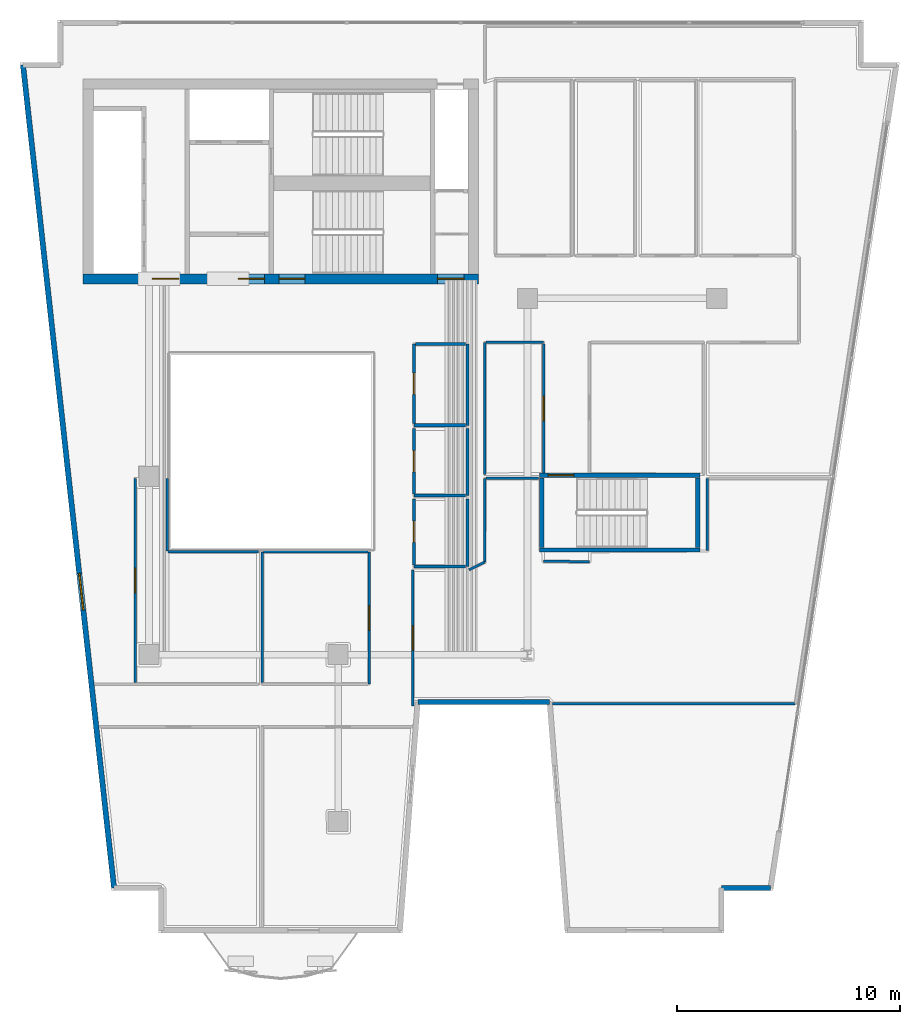
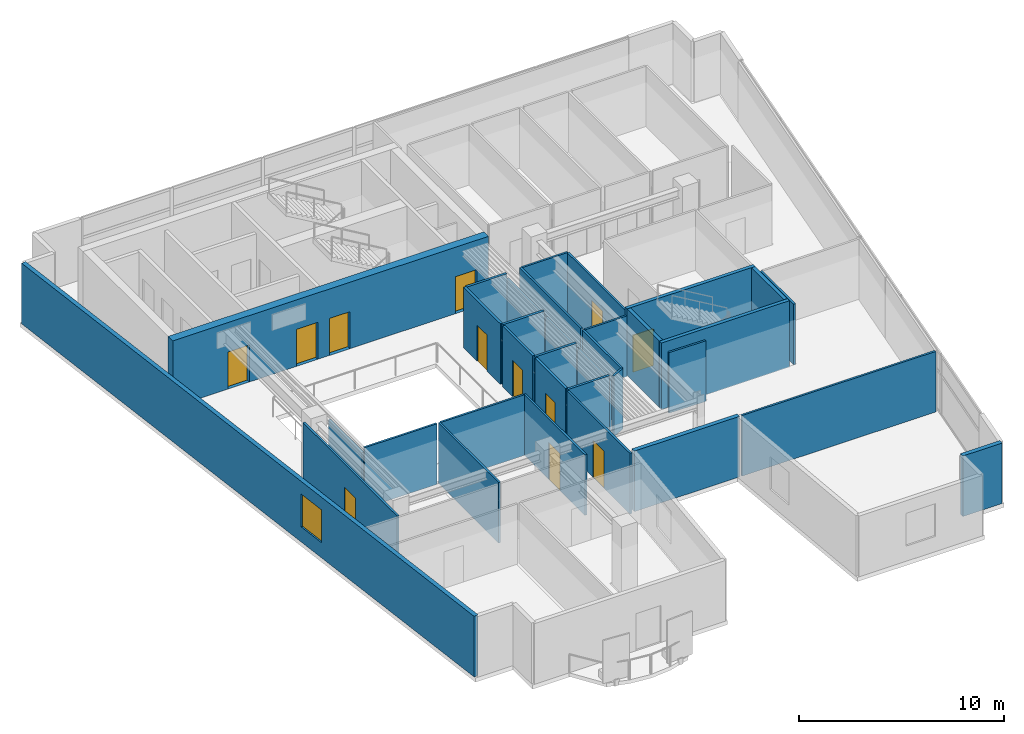
# One storey, part 4 of 8: 34 walls, 12 doors, 1 window, 13 openings.
"""IFC4 building model written with IfcOpenShell, lengths in metres."""

from ifc_helpers import new_model, si_unit, direction, frame, frame_2d, origin, place, context, subcontext, project, spatial, rectangle, extrude, material, layer, layer_set, type_object, element, fill, save


model = new_model("IFC4")

# Units and contexts
model_context = context("Model", 3, precision=1e-05, world=origin(), true_north=direction((0.0, 1.0)))
body_context = subcontext(model_context, "Body", "Model", "MODEL_VIEW")
ifc_project = project(units=[si_unit("LENGTHUNIT", "METRE"), si_unit("AREAUNIT", "SQUARE_METRE"), si_unit("VOLUMEUNIT", "CUBIC_METRE"), si_unit("PLANEANGLEUNIT", "RADIAN"), si_unit("MASSUNIT", "GRAM", prefix="KILO")], contexts=[model_context])

# Site, building, storey
site_placement = place(None, origin())
site = spatial("IfcSite", under=ifc_project, at=site_placement, CompositionType="ELEMENT")
building_placement = place(site_placement, origin())
building = spatial("IfcBuilding", under=site, at=building_placement, Name="Caeloran Harvest Quay", CompositionType="ELEMENT")
storey_placement = place(building_placement, frame((0.0, 0.0, 246.949951171875)))
storey = spatial("IfcBuildingStorey", under=building, at=storey_placement, Name="L59", CompositionType="ELEMENT", Elevation=246.949951171875)

# Wall, opening, window
ifc_material_1 = material(Name="Precast concrete C50/60", Category="concrete")
ifc_layer_1 = layer(ifc_material_1, 0.239990234375, Name="Precast concrete C50/60")
ifc_layer_set_1 = layer_set([ifc_layer_1], Name="Precast concrete C50/60")
wall_type_1 = type_object("IfcWallType", Name="ENV-WALL-EW-240", PredefinedType="STANDARD", material=ifc_layer_set_1)
wall_1_placement = place(storey_placement, frame((6.933349609375, 4.52001953125, 0.0), z_axis=(0.0, 0.0, 1.0), x_axis=(-0.109965284523, 0.993935428587, 0.0)))
wall_1 = element("IfcWall", 1, at=wall_1_placement, inside=storey, type_object=wall_type_1, Name="L59 Exterior Precast Concrete Facade Wall 3", PredefinedType="STANDARD", context=body_context, shape_type="SweptSolid", body=[
    extrude(rectangle(XDim=37.185546875, YDim=0.239990234375, at=frame_2d((18.5927734375, 0.0))), origin(), (0.0, 0.0, 1.0), 3.60009765625),
])
opening_1_placement = place(wall_1_placement, frame((12.56201171875, 0.0, 0.89990234375)))
opening_1 = element("IfcOpeningElement", 2, at=opening_1_placement, cuts=wall_1, Name="Opening W-08", PredefinedType="OPENING", context=body_context, shape_type="SweptSolid", body=[
    extrude(rectangle(XDim=1.64990234375, YDim=1.949951171875, at=frame_2d((0.824951171875, 0.97509765625))), frame((0.0, 0.1298828125, 0.0), z_axis=(0.0, -1.0, 0.0), x_axis=(1.0, 0.0, 0.0)), (0.0, 0.0, 1.0), 0.260009765625),
])
ifc_material_2 = material(Name="Aluminium-Framed Low-E Laminated Glass", Category="aluminium")
window_type = type_object("IfcWindowType", Name="WIN-W-08", PartitioningType="SINGLE_PANEL", PredefinedType="WINDOW", material=ifc_material_2)
window_placement = place(opening_1_placement, origin())
window = element("IfcWindow", 3, at=window_placement, inside=storey, type_object=window_type, Name="L59 Facade Punched Window W-08", OverallHeight=1.949951171875, OverallWidth=1.64990234375, PartitioningType="SINGLE_PANEL", PredefinedType="WINDOW", context=body_context, shape_type="SweptSolid", body=[
    extrude(rectangle(XDim=1.64990234375, YDim=1.949951171875, at=frame_2d((0.824951171875, 0.97509765625))), frame((0.0, 0.030029296875, 0.0), z_axis=(0.0, -1.0, 0.0), x_axis=(1.0, 0.0, 0.0)), (0.0, 0.0, 1.0), 0.06005859375),
])
fill(opening_1, window)

# Walls
wall_2_placement = place(storey_placement, frame((36.423095703125, 4.52001953125, 0.0), z_axis=(0.0, 0.0, 1.0), x_axis=(-1.0, 0.0, 0.0)))
element("IfcWall", 4, at=wall_2_placement, inside=storey, type_object=wall_type_1, Name="L59 Exterior Precast Concrete Facade Wall 10", PredefinedType="STANDARD", context=body_context, shape_type="SweptSolid", body=[
    extrude(rectangle(XDim=2.20703125, YDim=0.239990234375, at=frame_2d((1.103515625, 0.0))), origin(), (0.0, 0.0, 1.0), 3.60009765625),
])
wall_3_placement = place(storey_placement, frame((26.4951171875, 12.8701171875, 0.0), z_axis=(0.0, 0.0, 1.0), x_axis=(-1.0, 0.0, 0.0)))
element("IfcWall", 5, at=wall_3_placement, inside=storey, type_object=wall_type_1, Name="L59 Exterior Precast Concrete Facade Wall 14", PredefinedType="STANDARD", context=body_context, shape_type="SweptSolid", body=[
    extrude(rectangle(XDim=5.922119140625, YDim=0.239990234375, at=frame_2d((2.9609375, 0.0))), origin(), (0.0, 0.0, 1.0), 3.60009765625),
])

# Wall, opening, door
ifc_material_3 = material(Name="Single-Stud Acoustic Gypsum Office Partition", Category="gypsum")
ifc_layer_2 = layer(ifc_material_3, 0.112060546875, Name="Single-Stud Acoustic Gypsum Office Partition")
ifc_layer_set_2 = layer_set([ifc_layer_2], Name="Single-Stud Acoustic Gypsum Office Partition")
wall_type_2 = type_object("IfcWallType", Name="INT-WALL-PW-112", PredefinedType="PARTITIONING", material=ifc_layer_set_2)
wall_4_placement = place(storey_placement, frame((18.389892578125, 19.6201171875, 0.0), z_axis=(0.0, 0.0, 1.0), x_axis=(0.0, -1.0, 0.0)))
wall_4 = element("IfcWall", 6, at=wall_4_placement, inside=storey, type_object=wall_type_2, Name="Director Office Partition Wall", PredefinedType="PARTITIONING", context=body_context, shape_type="SweptSolid", body=[
    extrude(rectangle(XDim=5.940185546875, YDim=0.112060546875, at=frame_2d((2.97021484375, 0.0))), origin(), (0.0, 0.0, 1.0), 3.60009765625),
])
opening_2_placement = place(wall_4_placement, frame((2.419921875, 0.0, 0.0)))
opening_2 = element("IfcOpeningElement", 7, at=opening_2_placement, cuts=wall_4, Name="Opening ID-04", PredefinedType="OPENING", context=body_context, shape_type="SweptSolid", body=[
    extrude(rectangle(XDim=1.10009765625, YDim=2.199951171875, at=frame_2d((0.550048828125, 1.10009765625))), frame((0.0, 0.06591796875, 0.0), z_axis=(0.0, -1.0, 0.0), x_axis=(1.0, 0.0, 0.0)), (0.0, 0.0, 1.0), 0.132080078125),
])
ifc_material_4 = material(Name="Acoustic Walnut Veneer Executive Door", Category="wood")
door_type_1 = type_object("IfcDoorType", Name="INTDOOR-ID-04", OperationType="NOTDEFINED", PredefinedType="DOOR", material=ifc_material_4)
door_1_placement = place(opening_2_placement, origin())
door_1 = element("IfcDoor", 8, at=door_1_placement, inside=storey, type_object=door_type_1, Name="Director Office Access Door", OperationType="SINGLE_SWING_LEFT", OverallHeight=2.199951171875, OverallWidth=1.10009765625, PredefinedType="DOOR", context=body_context, shape_type="SweptSolid", body=[
    extrude(rectangle(XDim=1.10009765625, YDim=2.199951171875, at=frame_2d((0.550048828125, 1.10009765625))), frame((0.0, 0.02490234375, 0.0), z_axis=(0.0, -1.0, 0.0), x_axis=(1.0, 0.0, 0.0)), (0.0, 0.0, 1.0), 0.050048828125),
])
fill(opening_2, door_1)

# Walls
wall_5_placement = place(storey_placement, frame((13.580078125, 13.740966796875, 0.0), z_axis=(0.0, 0.0, 1.0), x_axis=(0.0, 1.0, 0.0)))
element("IfcWall", 9, at=wall_5_placement, inside=storey, type_object=wall_type_2, Name="Director Office Partition Wall", PredefinedType="PARTITIONING", context=body_context, shape_type="SweptSolid", body=[
    extrude(rectangle(XDim=5.879150390625, YDim=0.112060546875, at=frame_2d((2.939453125, 0.0))), origin(), (0.0, 0.0, 1.0), 3.60009765625),
])
wall_6_placement = place(storey_placement, frame((13.64111328125, 19.6201171875, 0.0), z_axis=(0.0, 0.0, 1.0), x_axis=(1.0, 0.0, 0.0)))
element("IfcWall", 10, at=wall_6_placement, inside=storey, type_object=wall_type_2, Name="Director Office Partition Wall", PredefinedType="PARTITIONING", context=body_context, shape_type="SweptSolid", body=[
    extrude(rectangle(XDim=4.68798828125, YDim=0.112060546875, at=frame_2d((2.343994140625, 0.0))), origin(), (0.0, 0.0, 1.0), 3.60009765625),
])
wall_7_placement = place(storey_placement, frame((33.580078125, 19.6708984375, 0.0), z_axis=(0.0, 0.0, 1.0), x_axis=(0.0, 1.0, 0.0)))
element("IfcWall", 11, at=wall_7_placement, inside=storey, type_object=wall_type_2, Name="Client Review Meeting Room Partition Wall", PredefinedType="PARTITIONING", context=body_context, shape_type="SweptSolid", body=[
    extrude(rectangle(XDim=3.2490234375, YDim=0.112060546875, at=frame_2d((1.62451171875, 0.0))), origin(), (0.0, 0.0, 1.0), 3.60009765625),
])
wall_8_placement = place(storey_placement, frame((37.513916015625, 12.800048828125, 0.0), z_axis=(0.0, 0.0, 1.0), x_axis=(-1.0, 0.0, 0.0)))
element("IfcWall", 12, at=wall_8_placement, inside=storey, type_object=wall_type_2, Name="Client Review Meeting Room Partition Wall", PredefinedType="PARTITIONING", context=body_context, shape_type="SweptSolid", body=[
    extrude(rectangle(XDim=10.88818359375, YDim=0.112060546875, at=frame_2d((5.444091796875, 0.0))), origin(), (0.0, 0.0, 1.0), 3.60009765625),
])

# Wall, opening, door
wall_9_placement = place(storey_placement, frame((20.35009765625, 12.688720703125, 0.0), z_axis=(0.0, 0.0, 1.0), x_axis=(0.0, 1.0, 0.0)))
wall_9 = element("IfcWall", 13, at=wall_9_placement, inside=storey, type_object=wall_type_2, Name="Client Review Meeting Room Partition Wall", PredefinedType="PARTITIONING", context=body_context, shape_type="SweptSolid", body=[
    extrude(rectangle(XDim=6.121337890625, YDim=0.112060546875, at=frame_2d((3.060546875, 0.0))), origin(), (0.0, 0.0, 1.0), 3.60009765625),
])
opening_3_placement = place(wall_9_placement, frame((2.5107421875, 0.0, 0.0)))
opening_3 = element("IfcOpeningElement", 14, at=opening_3_placement, cuts=wall_9, Name="Opening ID-04", PredefinedType="OPENING", context=body_context, shape_type="SweptSolid", body=[
    extrude(rectangle(XDim=1.10009765625, YDim=2.199951171875, at=frame_2d((0.550048828125, 1.10009765625))), frame((0.0, 0.06591796875, 0.0), z_axis=(0.0, -1.0, 0.0), x_axis=(1.0, 0.0, 0.0)), (0.0, 0.0, 1.0), 0.132080078125),
])
door_2_placement = place(opening_3_placement, origin())
door_2 = element("IfcDoor", 15, at=door_2_placement, inside=storey, type_object=door_type_1, Name="Client Review Meeting Room Access Door", OperationType="SINGLE_SWING_RIGHT", OverallHeight=2.199951171875, OverallWidth=1.10009765625, PredefinedType="DOOR", context=body_context, shape_type="SweptSolid", body=[
    extrude(rectangle(XDim=1.10009765625, YDim=2.199951171875, at=frame_2d((0.550048828125, 1.10009765625))), frame((0.0, 0.02490234375, 0.0), z_axis=(0.0, -1.0, 0.0), x_axis=(1.0, 0.0, 0.0)), (0.0, 0.0, 1.0), 0.050048828125),
])
fill(opening_3, door_2)

# Walls
wall_10_placement = place(storey_placement, frame((22.883056640625, 18.81005859375, 0.0), z_axis=(0.0, 0.0, 1.0), x_axis=(0.893737436086, 0.448590453909, 0.0)))
element("IfcWall", 16, at=wall_10_placement, inside=storey, type_object=wall_type_2, Name="Client Review Meeting Room Partition Wall", PredefinedType="PARTITIONING", context=body_context, shape_type="SweptSolid", body=[
    extrude(rectangle(XDim=0.77978515625, YDim=0.112060546875, at=frame_2d((0.389892578125, 0.0))), origin(), (0.0, 0.0, 1.0), 3.60009765625),
])
wall_11_placement = place(storey_placement, frame((23.580078125, 19.171142578125, 0.0), z_axis=(0.0, 0.0, 1.0), x_axis=(0.0, 1.0, 0.0)))
element("IfcWall", 17, at=wall_11_placement, inside=storey, type_object=wall_type_2, Name="Client Review Meeting Room Partition Wall", PredefinedType="PARTITIONING", context=body_context, shape_type="SweptSolid", body=[
    extrude(rectangle(XDim=3.748779296875, YDim=0.112060546875, at=frame_2d((1.87451171875, 0.0))), origin(), (0.0, 0.0, 1.0), 3.60009765625),
])
wall_12_placement = place(storey_placement, frame((23.64111328125, 22.919921875, 0.0), z_axis=(0.0, 0.0, 1.0), x_axis=(1.0, 0.0, 0.0)))
element("IfcWall", 18, at=wall_12_placement, inside=storey, type_object=wall_type_2, Name="Client Review Meeting Room Partition Wall", PredefinedType="PARTITIONING", context=body_context, shape_type="SweptSolid", body=[
    extrude(rectangle(XDim=2.347900390625, YDim=0.112060546875, at=frame_2d((1.173828125, 0.0))), origin(), (0.0, 0.0, 1.0), 3.60009765625),
])
wall_13_placement = place(storey_placement, frame((26.219970703125, 19.199951171875, 0.0), z_axis=(0.0, 0.0, 1.0), x_axis=(0.999893773718, -0.014575365509, 0.0)))
element("IfcWall", 19, at=wall_13_placement, inside=storey, type_object=wall_type_2, Name="Client Review Meeting Room Partition Wall", PredefinedType="PARTITIONING", context=body_context, shape_type="SweptSolid", body=[
    extrude(rectangle(XDim=2.060302734375, YDim=0.112060546875, at=frame_2d((1.0302734375, 0.0))), origin(), (0.0, 0.0, 1.0), 3.60009765625),
])
wall_14_placement = place(storey_placement, frame((9.35009765625, 19.6201171875, 0.0), z_axis=(0.0, 0.0, 1.0), x_axis=(1.0, 0.0, 0.0)))
element("IfcWall", 20, at=wall_14_placement, inside=storey, type_object=wall_type_2, Name="Terrace Cafe Kitchen Partition Wall", PredefinedType="PARTITIONING", context=body_context, shape_type="SweptSolid", body=[
    extrude(rectangle(XDim=4.06982421875, YDim=0.112060546875, at=frame_2d((2.034912109375, 0.0))), origin(), (0.0, 0.0, 1.0), 3.60009765625),
])

# Wall, opening, door
wall_15_placement = place(storey_placement, frame((7.8798828125, 13.740966796875, 0.0), z_axis=(0.0, 0.0, 1.0), x_axis=(0.0, 1.0, 0.0)))
wall_15 = element("IfcWall", 21, at=wall_15_placement, inside=storey, type_object=wall_type_2, Name="Terrace Cafe Kitchen Partition Wall", PredefinedType="PARTITIONING", context=body_context, shape_type="SweptSolid", body=[
    extrude(rectangle(XDim=9.178955078125, YDim=0.112060546875, at=frame_2d((4.58935546875, 0.0))), origin(), (0.0, 0.0, 1.0), 3.60009765625),
])
opening_4_placement = place(wall_15_placement, frame((4.03955078125, 0.0, 0.0)))
opening_4 = element("IfcOpeningElement", 22, at=opening_4_placement, cuts=wall_15, Name="Opening ID-04", PredefinedType="OPENING", context=body_context, shape_type="SweptSolid", body=[
    extrude(rectangle(XDim=1.10009765625, YDim=2.199951171875, at=frame_2d((0.550048828125, 1.10009765625))), frame((0.0, 0.06591796875, 0.0), z_axis=(0.0, -1.0, 0.0), x_axis=(1.0, 0.0, 0.0)), (0.0, 0.0, 1.0), 0.132080078125),
])
door_3_placement = place(opening_4_placement, origin())
door_3 = element("IfcDoor", 23, at=door_3_placement, inside=storey, type_object=door_type_1, Name="Terrace Cafe Kitchen Access Door", OperationType="SINGLE_SWING_LEFT", OverallHeight=2.199951171875, OverallWidth=1.10009765625, PredefinedType="DOOR", context=body_context, shape_type="SweptSolid", body=[
    extrude(rectangle(XDim=1.10009765625, YDim=2.199951171875, at=frame_2d((0.550048828125, 1.10009765625))), frame((0.0, 0.02490234375, 0.0), z_axis=(0.0, -1.0, 0.0), x_axis=(1.0, 0.0, 0.0)), (0.0, 0.0, 1.0), 0.050048828125),
])
fill(opening_4, door_3)

# Walls
wall_16_placement = place(storey_placement, frame((9.320068359375, 22.919921875, 0.0), z_axis=(0.0, 0.0, 1.0), x_axis=(0.0, -1.0, 0.0)))
element("IfcWall", 24, at=wall_16_placement, inside=storey, type_object=wall_type_2, Name="Terrace Cafe Kitchen Partition Wall", PredefinedType="PARTITIONING", context=body_context, shape_type="SweptSolid", body=[
    extrude(rectangle(XDim=3.27001953125, YDim=0.112060546875, at=frame_2d((1.635009765625, 0.0))), origin(), (0.0, 0.0, 1.0), 3.28515625),
])
wall_17_placement = place(storey_placement, frame((23.580078125, 23.080078125, 0.0), z_axis=(0.0, 0.0, 1.0), x_axis=(0.0, 1.0, 0.0)))
element("IfcWall", 25, at=wall_17_placement, inside=storey, type_object=wall_type_2, Name="Model Workshop Laboratory Partition Wall", PredefinedType="PARTITIONING", context=body_context, shape_type="SweptSolid", body=[
    extrude(rectangle(XDim=5.93994140625, YDim=0.112060546875, at=frame_2d((2.969970703125, 0.0))), origin(), (0.0, 0.0, 1.0), 3.60009765625),
])
wall_18_placement = place(storey_placement, frame((23.64111328125, 29.02001953125, 0.0), z_axis=(0.0, 0.0, 1.0), x_axis=(1.0, 0.0, 0.0)))
element("IfcWall", 26, at=wall_18_placement, inside=storey, type_object=wall_type_2, Name="Model Workshop Laboratory Partition Wall", PredefinedType="PARTITIONING", context=body_context, shape_type="SweptSolid", body=[
    extrude(rectangle(XDim=2.578857421875, YDim=0.112060546875, at=frame_2d((1.28955078125, 0.0))), origin(), (0.0, 0.0, 1.0), 3.60009765625),
])

# Wall, opening, door
wall_19_placement = place(storey_placement, frame((26.219970703125, 28.958984375, 0.0), z_axis=(0.0, 0.0, 1.0), x_axis=(0.0, -1.0, 0.0)))
wall_19 = element("IfcWall", 27, at=wall_19_placement, inside=storey, type_object=wall_type_2, Name="Model Workshop Laboratory Partition Wall", PredefinedType="PARTITIONING", context=body_context, shape_type="SweptSolid", body=[
    extrude(rectangle(XDim=5.803955078125, YDim=0.112060546875, at=frame_2d((2.90185546875, 0.0))), origin(), (0.0, 0.0, 1.0), 3.60009765625),
])
opening_5_placement = place(wall_19_placement, frame((2.35205078125, 0.0, 0.0)))
opening_5 = element("IfcOpeningElement", 28, at=opening_5_placement, cuts=wall_19, Name="Opening ID-04", PredefinedType="OPENING", context=body_context, shape_type="SweptSolid", body=[
    extrude(rectangle(XDim=1.10009765625, YDim=2.199951171875, at=frame_2d((0.550048828125, 1.10009765625))), frame((0.0, 0.06591796875, 0.0), z_axis=(0.0, -1.0, 0.0), x_axis=(1.0, 0.0, 0.0)), (0.0, 0.0, 1.0), 0.132080078125),
])
door_4_placement = place(opening_5_placement, origin())
door_4 = element("IfcDoor", 29, at=door_4_placement, inside=storey, type_object=door_type_1, Name="Model Workshop Laboratory Access Door", OperationType="SINGLE_SWING_RIGHT", OverallHeight=2.199951171875, OverallWidth=1.10009765625, PredefinedType="DOOR", context=body_context, shape_type="SweptSolid", body=[
    extrude(rectangle(XDim=1.10009765625, YDim=2.199951171875, at=frame_2d((0.550048828125, 1.10009765625))), frame((0.0, 0.02490234375, 0.0), z_axis=(0.0, -1.0, 0.0), x_axis=(1.0, 0.0, 0.0)), (0.0, 0.0, 1.0), 0.050048828125),
])
fill(opening_5, door_4)

# Walls
ifc_material_5 = material(Name="Moisture-Resistant Cement-Board Sanitary Partition", Category="gypsum")
ifc_layer_3 = layer(ifc_material_5, 0.139892578125, Name="Moisture-Resistant Cement-Board Sanitary Partition")
ifc_layer_set_3 = layer_set([ifc_layer_3], Name="Moisture-Resistant Cement-Board Sanitary Partition")
wall_type_3 = type_object("IfcWallType", Name="INT-WALL-PW-140", PredefinedType="PARTITIONING", material=ifc_layer_set_3)
wall_20_placement = place(storey_placement, frame((22.800048828125, 28.949951171875, 0.0), z_axis=(0.0, 0.0, 1.0), x_axis=(0.0, -1.0, 0.0)))
element("IfcWall", 30, at=wall_20_placement, inside=storey, type_object=wall_type_3, Name="L59 Male Washroom WC Partition Wall", PredefinedType="PARTITIONING", context=body_context, shape_type="SweptSolid", body=[
    extrude(rectangle(XDim=3.64990234375, YDim=0.139892578125, at=frame_2d((1.824951171875, 0.0))), origin(), (0.0, 0.0, 1.0), 3.28515625),
])
wall_21_placement = place(storey_placement, frame((22.72509765625, 25.300048828125, 0.0), z_axis=(0.0, 0.0, 1.0), x_axis=(-1.0, 0.0, 0.0)))
element("IfcWall", 31, at=wall_21_placement, inside=storey, type_object=wall_type_3, Name="L59 Male Washroom WC Partition Wall", PredefinedType="PARTITIONING", context=body_context, shape_type="SweptSolid", body=[
    extrude(rectangle(XDim=2.3251953125, YDim=0.139892578125, at=frame_2d((1.16259765625, 0.0))), origin(), (0.0, 0.0, 1.0), 3.60009765625),
])

# Wall, opening, door
wall_22_placement = place(storey_placement, frame((20.39990234375, 25.375, 0.0), z_axis=(0.0, 0.0, 1.0), x_axis=(0.0, 1.0, 0.0)))
wall_22 = element("IfcWall", 32, at=wall_22_placement, inside=storey, type_object=wall_type_3, Name="L59 Male Washroom WC Partition Wall", PredefinedType="PARTITIONING", context=body_context, shape_type="SweptSolid", body=[
    extrude(rectangle(XDim=3.574951171875, YDim=0.139892578125, at=frame_2d((1.78759765625, 0.0))), origin(), (0.0, 0.0, 1.0), 3.60009765625),
])
opening_6_placement = place(wall_22_placement, frame((1.3125, 0.0, 0.0)))
opening_6 = element("IfcOpeningElement", 33, at=opening_6_placement, cuts=wall_22, Name="Opening WC-01", PredefinedType="OPENING", context=body_context, shape_type="SweptSolid", body=[
    extrude(rectangle(XDim=0.949951171875, YDim=2.14990234375, at=frame_2d((0.47509765625, 1.074951171875))), frame((0.0, 0.080078125, 0.0), z_axis=(0.0, -1.0, 0.0), x_axis=(1.0, 0.0, 0.0)), (0.0, 0.0, 1.0), 0.159912109375),
])
ifc_material_6 = material(Name="High-Pressure Laminate Moisture-Resistant Timber", Category="wood")
door_type_2 = type_object("IfcDoorType", Name="INTDOOR-WC-01", OperationType="NOTDEFINED", PredefinedType="DOOR", material=ifc_material_6)
door_5_placement = place(opening_6_placement, origin())
door_5 = element("IfcDoor", 34, at=door_5_placement, inside=storey, type_object=door_type_2, Name="L59 Male Washroom WC Access Door", OperationType="SINGLE_SWING_RIGHT", OverallHeight=2.14990234375, OverallWidth=0.949951171875, PredefinedType="DOOR", context=body_context, shape_type="SweptSolid", body=[
    extrude(rectangle(XDim=0.949951171875, YDim=2.14990234375, at=frame_2d((0.47509765625, 1.074951171875))), frame((0.0, 0.02490234375, 0.0), z_axis=(0.0, -1.0, 0.0), x_axis=(1.0, 0.0, 0.0)), (0.0, 0.0, 1.0), 0.050048828125),
])
fill(opening_6, door_5)

# Walls
wall_23_placement = place(storey_placement, frame((20.47509765625, 28.949951171875, 0.0), z_axis=(0.0, 0.0, 1.0), x_axis=(1.0, 0.0, 0.0)))
element("IfcWall", 35, at=wall_23_placement, inside=storey, type_object=wall_type_3, Name="L59 Male Washroom WC Partition Wall", PredefinedType="PARTITIONING", context=body_context, shape_type="SweptSolid", body=[
    extrude(rectangle(XDim=2.25, YDim=0.139892578125, at=frame_2d((1.125, 0.0))), origin(), (0.0, 0.0, 1.0), 3.60009765625),
])
wall_24_placement = place(storey_placement, frame((22.800048828125, 25.14990234375, 0.0), z_axis=(0.0, 0.0, 1.0), x_axis=(0.0, -1.0, 0.0)))
element("IfcWall", 36, at=wall_24_placement, inside=storey, type_object=wall_type_3, Name="L59 Female Washroom WC Partition Wall", PredefinedType="PARTITIONING", context=body_context, shape_type="SweptSolid", body=[
    extrude(rectangle(XDim=3.0, YDim=0.139892578125, at=frame_2d((1.5, 0.0))), origin(), (0.0, 0.0, 1.0), 3.28515625),
])
wall_25_placement = place(storey_placement, frame((22.72509765625, 22.14990234375, 0.0), z_axis=(0.0, 0.0, 1.0), x_axis=(-1.0, 0.0, 0.0)))
element("IfcWall", 37, at=wall_25_placement, inside=storey, type_object=wall_type_3, Name="L59 Female Washroom WC Partition Wall", PredefinedType="PARTITIONING", context=body_context, shape_type="SweptSolid", body=[
    extrude(rectangle(XDim=2.3251953125, YDim=0.139892578125, at=frame_2d((1.16259765625, 0.0))), origin(), (0.0, 0.0, 1.0), 3.60009765625),
])

# Wall, opening, door
wall_26_placement = place(storey_placement, frame((20.39990234375, 22.22509765625, 0.0), z_axis=(0.0, 0.0, 1.0), x_axis=(0.0, 1.0, 0.0)))
wall_26 = element("IfcWall", 38, at=wall_26_placement, inside=storey, type_object=wall_type_3, Name="L59 Female Washroom WC Partition Wall", PredefinedType="PARTITIONING", context=body_context, shape_type="SweptSolid", body=[
    extrude(rectangle(XDim=2.9248046875, YDim=0.139892578125, at=frame_2d((1.46240234375, 0.0))), origin(), (0.0, 0.0, 1.0), 3.60009765625),
])
opening_7_placement = place(wall_26_placement, frame((0.987548828125, 0.0, 0.0)))
opening_7 = element("IfcOpeningElement", 39, at=opening_7_placement, cuts=wall_26, Name="Opening WC-01", PredefinedType="OPENING", context=body_context, shape_type="SweptSolid", body=[
    extrude(rectangle(XDim=0.949951171875, YDim=2.14990234375, at=frame_2d((0.47509765625, 1.074951171875))), frame((0.0, 0.080078125, 0.0), z_axis=(0.0, -1.0, 0.0), x_axis=(1.0, 0.0, 0.0)), (0.0, 0.0, 1.0), 0.159912109375),
])
door_6_placement = place(opening_7_placement, origin())
door_6 = element("IfcDoor", 40, at=door_6_placement, inside=storey, type_object=door_type_2, Name="L59 Female Washroom WC Access Door", OperationType="SINGLE_SWING_LEFT", OverallHeight=2.14990234375, OverallWidth=0.949951171875, PredefinedType="DOOR", context=body_context, shape_type="SweptSolid", body=[
    extrude(rectangle(XDim=0.949951171875, YDim=2.14990234375, at=frame_2d((0.47509765625, 1.074951171875))), frame((0.0, 0.02490234375, 0.0), z_axis=(0.0, -1.0, 0.0), x_axis=(1.0, 0.0, 0.0)), (0.0, 0.0, 1.0), 0.050048828125),
])
fill(opening_7, door_6)

# Walls
wall_27_placement = place(storey_placement, frame((22.800048828125, 22.0, 0.0), z_axis=(0.0, 0.0, 1.0), x_axis=(0.0, -1.0, 0.0)))
element("IfcWall", 41, at=wall_27_placement, inside=storey, type_object=wall_type_3, Name="L59 Accessible Unisex Washroom WC Partition Wall", PredefinedType="PARTITIONING", context=body_context, shape_type="SweptSolid", body=[
    extrude(rectangle(XDim=3.0400390625, YDim=0.139892578125, at=frame_2d((1.52001953125, 0.0))), origin(), (0.0, 0.0, 1.0), 3.28515625),
])
wall_28_placement = place(storey_placement, frame((22.72509765625, 18.9599609375, 0.0), z_axis=(0.0, 0.0, 1.0), x_axis=(-1.0, 0.0, 0.0)))
element("IfcWall", 42, at=wall_28_placement, inside=storey, type_object=wall_type_3, Name="L59 Accessible Unisex Washroom WC Partition Wall", PredefinedType="PARTITIONING", context=body_context, shape_type="SweptSolid", body=[
    extrude(rectangle(XDim=2.3251953125, YDim=0.139892578125, at=frame_2d((1.16259765625, 0.0))), origin(), (0.0, 0.0, 1.0), 3.60009765625),
])

# Wall, opening, door
wall_29_placement = place(storey_placement, frame((20.39990234375, 19.034912109375, 0.0), z_axis=(0.0, 0.0, 1.0), x_axis=(0.0, 1.0, 0.0)))
wall_29 = element("IfcWall", 43, at=wall_29_placement, inside=storey, type_object=wall_type_3, Name="L59 Accessible Unisex Washroom WC Partition Wall", PredefinedType="PARTITIONING", context=body_context, shape_type="SweptSolid", body=[
    extrude(rectangle(XDim=2.965087890625, YDim=0.139892578125, at=frame_2d((1.482421875, 0.0))), origin(), (0.0, 0.0, 1.0), 3.60009765625),
])
opening_8_placement = place(wall_29_placement, frame((1.007568359375, 0.0, 0.0)))
opening_8 = element("IfcOpeningElement", 44, at=opening_8_placement, cuts=wall_29, Name="Opening WC-01", PredefinedType="OPENING", context=body_context, shape_type="SweptSolid", body=[
    extrude(rectangle(XDim=0.949951171875, YDim=2.14990234375, at=frame_2d((0.47509765625, 1.074951171875))), frame((0.0, 0.080078125, 0.0), z_axis=(0.0, -1.0, 0.0), x_axis=(1.0, 0.0, 0.0)), (0.0, 0.0, 1.0), 0.159912109375),
])
door_7_placement = place(opening_8_placement, origin())
door_7 = element("IfcDoor", 45, at=door_7_placement, inside=storey, type_object=door_type_2, Name="L59 Accessible Unisex Washroom WC Access Door", OperationType="SINGLE_SWING_RIGHT", OverallHeight=2.14990234375, OverallWidth=0.949951171875, PredefinedType="DOOR", context=body_context, shape_type="SweptSolid", body=[
    extrude(rectangle(XDim=0.949951171875, YDim=2.14990234375, at=frame_2d((0.47509765625, 1.074951171875))), frame((0.0, 0.02490234375, 0.0), z_axis=(0.0, -1.0, 0.0), x_axis=(1.0, 0.0, 0.0)), (0.0, 0.0, 1.0), 0.050048828125),
])
fill(opening_8, door_7)

# Wall, openings, doors
ifc_material_7 = material(Name="Concrete C60/75", Category="concrete")
ifc_layer_4 = layer(ifc_material_7, 0.449951171875, Name="Concrete C60/75")
ifc_layer_set_4 = layer_set([ifc_layer_4], Name="Concrete C60/75")
wall_type_4 = type_object("IfcWallType", Name="STR-WALL-CW-450", PredefinedType="SHEAR", material=ifc_layer_set_4)
wall_30_placement = place(storey_placement, frame((5.550048828125, 31.875, 0.0), z_axis=(0.0, 0.0, 1.0), x_axis=(1.0, 0.0, 0.0)))
wall_30 = element("IfcWall", 46, at=wall_30_placement, inside=storey, type_object=wall_type_4, Name="L59 Rear Core Shear Wall S", PredefinedType="SHEAR", context=body_context, shape_type="SweptSolid", body=[
    extrude(rectangle(XDim=17.75, YDim=0.449951171875, at=frame_2d((8.875, 0.0))), origin(), (0.0, 0.0, 1.0), 3.949951171875),
])
opening_9_placement = place(wall_30_placement, frame((3.10009765625, 0.0, 0.0)))
opening_9 = element("IfcOpeningElement", 47, at=opening_9_placement, cuts=wall_30, Name="Opening FD-01", PredefinedType="OPENING", context=body_context, shape_type="SweptSolid", body=[
    extrude(rectangle(XDim=1.199951171875, YDim=2.199951171875, at=frame_2d((0.60009765625, 1.10009765625))), frame((0.0, 0.23486328125, 0.0), z_axis=(0.0, -1.0, 0.0), x_axis=(1.0, 0.0, 0.0)), (0.0, 0.0, 1.0), 0.469970703125),
])
opening_10_placement = place(wall_30_placement, frame((6.949951171875, 0.0, 0.0)))
opening_10 = element("IfcOpeningElement", 48, at=opening_10_placement, cuts=wall_30, Name="Opening FD-01", PredefinedType="OPENING", context=body_context, shape_type="SweptSolid", body=[
    extrude(rectangle(XDim=1.199951171875, YDim=2.199951171875, at=frame_2d((0.60009765625, 1.10009765625))), frame((0.0, 0.23486328125, 0.0), z_axis=(0.0, -1.0, 0.0), x_axis=(1.0, 0.0, 0.0)), (0.0, 0.0, 1.0), 0.469970703125),
])
opening_11_placement = place(wall_30_placement, frame((8.800048828125, 0.0, 0.0)))
opening_11 = element("IfcOpeningElement", 49, at=opening_11_placement, cuts=wall_30, Name="Opening SD-01", PredefinedType="OPENING", context=body_context, shape_type="SweptSolid", body=[
    extrude(rectangle(XDim=1.14990234375, YDim=2.199951171875, at=frame_2d((0.574951171875, 1.10009765625))), frame((0.0, 0.23486328125, 0.0), z_axis=(0.0, -1.0, 0.0), x_axis=(1.0, 0.0, 0.0)), (0.0, 0.0, 1.0), 0.469970703125),
])
opening_12_placement = place(wall_30_placement, frame((15.89990234375, 0.0, 0.0)))
opening_12 = element("IfcOpeningElement", 50, at=opening_12_placement, cuts=wall_30, Name="Opening FD-01", PredefinedType="OPENING", context=body_context, shape_type="SweptSolid", body=[
    extrude(rectangle(XDim=1.199951171875, YDim=2.199951171875, at=frame_2d((0.60009765625, 1.10009765625))), frame((0.0, 0.23486328125, 0.0), z_axis=(0.0, -1.0, 0.0), x_axis=(1.0, 0.0, 0.0)), (0.0, 0.0, 1.0), 0.469970703125),
])
ifc_material_8 = material(Name="Steel", Category="steel")
door_type_3 = type_object("IfcDoorType", Name="INTDOOR-FD-01", OperationType="NOTDEFINED", PredefinedType="DOOR", material=ifc_material_8)
door_8_placement = place(opening_9_placement, origin())
door_8 = element("IfcDoor", 51, at=door_8_placement, inside=storey, type_object=door_type_3, Name="L59 High-Rise Lift Lobby Fire Door", OperationType="SINGLE_SWING_RIGHT", OverallHeight=2.199951171875, OverallWidth=1.199951171875, PredefinedType="DOOR", context=body_context, shape_type="SweptSolid", body=[
    extrude(rectangle(XDim=1.199951171875, YDim=2.199951171875, at=frame_2d((0.60009765625, 1.10009765625))), frame((0.0, 0.02490234375, 0.0), z_axis=(0.0, -1.0, 0.0), x_axis=(1.0, 0.0, 0.0)), (0.0, 0.0, 1.0), 0.050048828125),
])
fill(opening_9, door_8)
door_9_placement = place(opening_10_placement, origin())
door_9 = element("IfcDoor", 52, at=door_9_placement, inside=storey, type_object=door_type_3, Name="L59 Firefighting Lobby Vestibule Fire Door", OperationType="SINGLE_SWING_LEFT", OverallHeight=2.199951171875, OverallWidth=1.199951171875, PredefinedType="DOOR", context=body_context, shape_type="SweptSolid", body=[
    extrude(rectangle(XDim=1.199951171875, YDim=2.199951171875, at=frame_2d((0.60009765625, 1.10009765625))), frame((0.0, 0.02490234375, 0.0), z_axis=(0.0, -1.0, 0.0), x_axis=(1.0, 0.0, 0.0)), (0.0, 0.0, 1.0), 0.050048828125),
])
fill(opening_10, door_9)
door_10_placement = place(opening_12_placement, origin())
door_10 = element("IfcDoor", 53, at=door_10_placement, inside=storey, type_object=door_type_3, Name="L59 Service Lift Lobby Fire Door", OperationType="SINGLE_SWING_LEFT", OverallHeight=2.199951171875, OverallWidth=1.199951171875, PredefinedType="DOOR", context=body_context, shape_type="SweptSolid", body=[
    extrude(rectangle(XDim=1.199951171875, YDim=2.199951171875, at=frame_2d((0.60009765625, 1.10009765625))), frame((0.0, 0.02490234375, 0.0), z_axis=(0.0, -1.0, 0.0), x_axis=(1.0, 0.0, 0.0)), (0.0, 0.0, 1.0), 0.050048828125),
])
fill(opening_12, door_10)
door_type_4 = type_object("IfcDoorType", Name="INTDOOR-SD-01", OperationType="NOTDEFINED", PredefinedType="DOOR", material=ifc_material_8)
door_11_placement = place(opening_11_placement, origin())
door_11 = element("IfcDoor", 54, at=door_11_placement, inside=storey, type_object=door_type_4, Name="L59 Protected Stair ST-C2 Exit Door", OperationType="SINGLE_SWING_RIGHT", OverallHeight=2.199951171875, OverallWidth=1.14990234375, PredefinedType="DOOR", context=body_context, shape_type="SweptSolid", body=[
    extrude(rectangle(XDim=1.14990234375, YDim=2.199951171875, at=frame_2d((0.574951171875, 1.10009765625))), frame((0.0, 0.02490234375, 0.0), z_axis=(0.0, -1.0, 0.0), x_axis=(1.0, 0.0, 0.0)), (0.0, 0.0, 1.0), 0.050048828125),
])
fill(opening_11, door_11)

# Wall
ifc_layer_5 = layer(ifc_material_7, 0.199951171875, Name="Concrete C60/75")
ifc_layer_set_5 = layer_set([ifc_layer_5], Name="Concrete C60/75")
wall_type_5 = type_object("IfcWallType", Name="STR-WALL-SW-200", PredefinedType="SHEAR", material=ifc_layer_set_5)
wall_31_placement = place(storey_placement, frame((26.050048828125, 19.699951171875, 0.0), z_axis=(0.0, 0.0, 1.0), x_axis=(1.0, 0.0, 0.0)))
element("IfcWall", 55, at=wall_31_placement, inside=storey, type_object=wall_type_5, Name="L59 Stair ST-W1 S RC Shaft Shear Wall", PredefinedType="SHEAR", context=body_context, shape_type="SweptSolid", body=[
    extrude(rectangle(XDim=7.199951171875, YDim=0.199951171875, at=frame_2d((3.60009765625, 0.0))), origin(), (0.0, 0.0, 1.0), 3.949951171875),
])

# Wall, opening, door
wall_32_placement = place(storey_placement, frame((26.050048828125, 23.050048828125, 0.0), z_axis=(0.0, 0.0, 1.0), x_axis=(1.0, 0.0, 0.0)))
wall_32 = element("IfcWall", 56, at=wall_32_placement, inside=storey, type_object=wall_type_5, Name="L59 Stair ST-W1 N RC Shaft Shear Wall", PredefinedType="SHEAR", context=body_context, shape_type="SweptSolid", body=[
    extrude(rectangle(XDim=7.199951171875, YDim=0.199951171875, at=frame_2d((3.60009765625, 0.0))), origin(), (0.0, 0.0, 1.0), 3.949951171875),
])
opening_13_placement = place(wall_32_placement, frame((0.3798828125, 0.0, 0.0)))
opening_13 = element("IfcOpeningElement", 57, at=opening_13_placement, cuts=wall_32, Name="Opening SD-01", PredefinedType="OPENING", context=body_context, shape_type="SweptSolid", body=[
    extrude(rectangle(XDim=1.14990234375, YDim=2.199951171875, at=frame_2d((0.574951171875, 1.10009765625))), frame((0.0, 0.10986328125, 0.0), z_axis=(0.0, -1.0, 0.0), x_axis=(1.0, 0.0, 0.0)), (0.0, 0.0, 1.0), 0.219970703125),
])
door_12_placement = place(opening_13_placement, origin())
door_12 = element("IfcDoor", 58, at=door_12_placement, inside=storey, type_object=door_type_4, Name="L59 Protected Exit Stair ST-W1 Fire Door", OperationType="SINGLE_SWING_LEFT", OverallHeight=2.199951171875, OverallWidth=1.14990234375, PredefinedType="DOOR", context=body_context, shape_type="SweptSolid", body=[
    extrude(rectangle(XDim=1.14990234375, YDim=2.199951171875, at=frame_2d((0.574951171875, 1.10009765625))), frame((0.0, 0.02490234375, 0.0), z_axis=(0.0, -1.0, 0.0), x_axis=(1.0, 0.0, 0.0)), (0.0, 0.0, 1.0), 0.050048828125),
])
fill(opening_13, door_12)

# Walls
for number, where, z_axis, x_axis, name in (
    (59, (26.14990234375, 19.81005859375, 0.0), (0.0, 0.0, 1.0), (0.0, 1.0, 0.0), "L59 Stair ST-W1 W RC Shaft Shear Wall"),
    (60, (33.14990234375, 19.81005859375, 0.0), (0.0, 0.0, 1.0), (0.0, 1.0, 0.0), "L59 Stair ST-W1 E RC Shaft Shear Wall"),
):
    element("IfcWall", number, at=place(storey_placement, frame(where, z_axis=z_axis, x_axis=x_axis)), inside=storey, type_object=wall_type_5, Name=name, PredefinedType="SHEAR", context=body_context, shape_type="SweptSolid", body=[
        extrude(rectangle(XDim=3.1298828125, YDim=0.199951171875, at=frame_2d((1.56494140625, 0.0))), origin(), (0.0, 0.0, 1.0), 3.949951171875),
    ])

save(model, "model.ifc")
